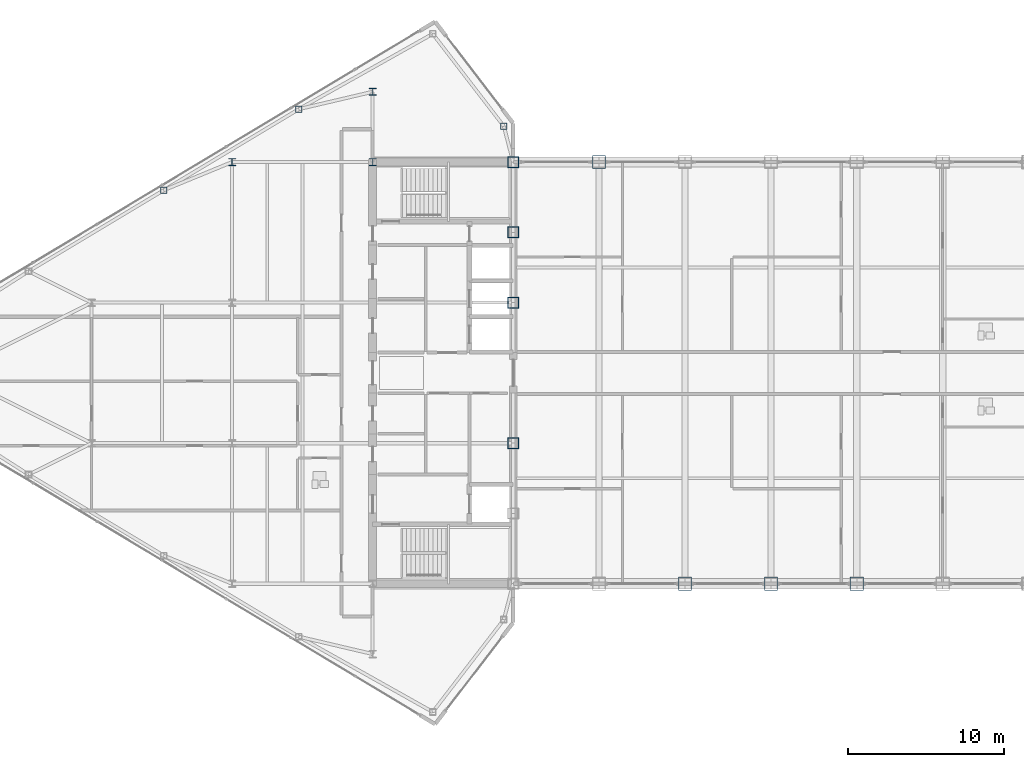
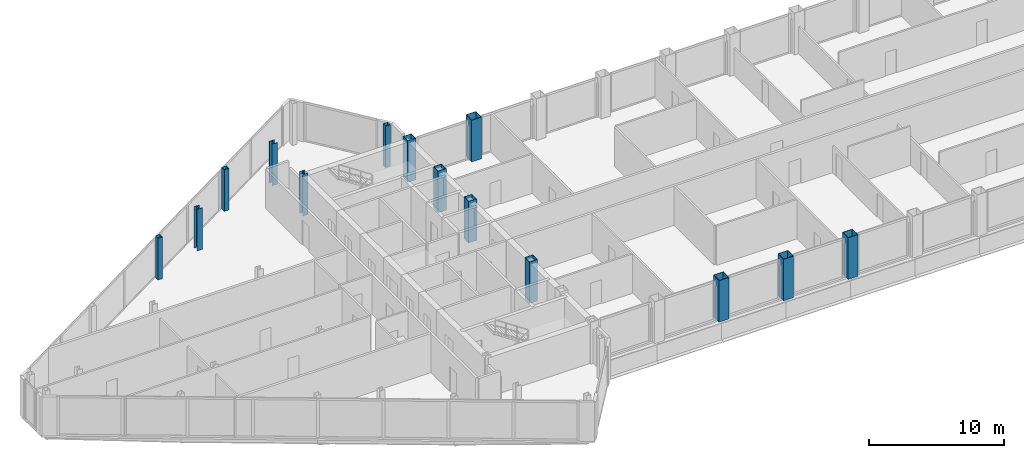
# One storey, part 2 of 29: 14 columns.
"""IFC4 building model written with IfcOpenShell, lengths in metres."""

from ifc_helpers import new_model, si_unit, direction, frame, origin, origin_2d, place, context, subcontext, project, spatial, hollow_rectangle, i_section, extrude, source, transform, mapped, material, material_profile, profile_set, type_object, type_shapes, element, save


model = new_model("IFC4")

# Units and contexts
model_context = context("Model", 3, precision=1e-05, world=origin(), true_north=direction((0.0, 1.0)))
body_context = subcontext(model_context, "Body", "Model", "MODEL_VIEW")
ifc_project = project(units=[si_unit("LENGTHUNIT", "METRE"), si_unit("AREAUNIT", "SQUARE_METRE"), si_unit("VOLUMEUNIT", "CUBIC_METRE"), si_unit("PLANEANGLEUNIT", "RADIAN"), si_unit("MASSUNIT", "GRAM", prefix="KILO")], contexts=[model_context])

# Site, building, storey
site_placement = place(None, origin())
site = spatial("IfcSite", under=ifc_project, at=site_placement, CompositionType="ELEMENT")
building_placement = place(site_placement, origin())
building = spatial("IfcBuilding", under=site, at=building_placement, Name="Seokmaru Belvedere", CompositionType="ELEMENT")
storey_placement = place(building_placement, frame((0.0, 0.0, 239.39990234375)))
storey = spatial("IfcBuildingStorey", under=building, at=storey_placement, Name="L63", CompositionType="ELEMENT", Elevation=239.39990234375)

# Columns
ifc_material_1 = material(Name="Steel SM355 (355 MPa)", Category="steel")
ifc_material_profile_1 = material_profile(ifc_material_1, hollow_rectangle(XDim=0.699951171875, YDim=0.699951171875, WallThickness=0.030029296875, at=origin_2d()), Name="BOX-700x700x30")
ifc_profile_set_1 = profile_set([ifc_material_profile_1], Name="Steel SM355 (355 MPa)")
column_type_1 = type_object("IfcColumnType", Name="Upper Spine Column BOX-700", PredefinedType="COLUMN", material=ifc_profile_set_1)
shared_shape_1 = source(origin(), body_context, "Body", "SweptSolid", [
    extrude(hollow_rectangle(XDim=0.699951171875, YDim=0.699951171875, WallThickness=0.030029296875, at=origin_2d()), origin(), (0.0, 0.0, 1.0), 3.75),
])
type_shapes(column_type_1, [shared_shape_1])
for number, where, z_axis, x_axis, name in (
    (1, (-27.5, -4.5, 0.0), (0.0, 0.0, 1.0), (1.0, 0.0, 0.0), "L63 Column WS3"),
    (2, (-27.5, 4.5, 0.0), (0.0, 0.0, 1.0), (1.0, 0.0, 0.0), "L63 Column WS4"),
    (3, (-27.5, 9.0, 0.0), (0.0, 0.0, 1.0), (1.0, 0.0, 0.0), "L63 Column WS5"),
    (4, (-27.5, 13.5, 0.0), (0.0, 0.0, 1.0), (1.0, 0.0, 0.0), "L63 Column WS6"),
):
    element("IfcColumn", number, at=place(storey_placement, frame(where, z_axis=z_axis, x_axis=x_axis)), inside=storey, type_object=column_type_1, Name=name, PredefinedType="COLUMN", context=body_context, shape_type="MappedRepresentation", body=[
        mapped(shared_shape_1, transform((0.0, 0.0, 0.0), scale=1.0)),
    ])
ifc_material_profile_2 = material_profile(ifc_material_1, i_section(OverallWidth=0.449951171875, OverallDepth=0.449951171875, WebThickness=0.01611328125, FlangeThickness=0.02490234375, at=origin_2d()), Name="H-450x450x16x25")
ifc_profile_set_2 = profile_set([ifc_material_profile_2], Name="Steel SM355 (355 MPa)")
column_type_2 = type_object("IfcColumnType", Name="Sky-Gate Column H-450", PredefinedType="COLUMN", material=ifc_profile_set_2)
shared_shape_2 = source(origin(), body_context, "Body", "SweptSolid", [
    extrude(i_section(OverallWidth=0.449951171875, OverallDepth=0.449951171875, WebThickness=0.01611328125, FlangeThickness=0.02490234375, at=origin_2d()), origin(), (0.0, 0.0, 1.0), 3.75),
])
type_shapes(column_type_2, [shared_shape_2])
for number, where, z_axis, x_axis, name in (
    (5, (-36.5, 13.5, 0.0), (0.0, 0.0, 1.0), (1.0, 0.0, 0.0), "L63 Column WC3"),
    (6, (-36.5, 18.0, 0.0), (0.0, 0.0, 1.0), (1.0, 0.0, 0.0), "L63 Column WC4"),
    (7, (-45.5, 13.5, 0.0), (0.0, 0.0, 1.0), (1.0, 0.0, 0.0), "L63 Column WG5_4"),
):
    element("IfcColumn", number, at=place(storey_placement, frame(where, z_axis=z_axis, x_axis=x_axis)), inside=storey, type_object=column_type_2, Name=name, PredefinedType="COLUMN", context=body_context, shape_type="MappedRepresentation", body=[
        mapped(shared_shape_2, transform((0.0, 0.0, 0.0), scale=1.0)),
    ])
ifc_material_profile_3 = material_profile(ifc_material_1, hollow_rectangle(XDim=0.39990234375, YDim=0.39990234375, WallThickness=0.01611328125, at=origin_2d()), Name="HSS-400x400x16")
ifc_profile_set_3 = profile_set([ifc_material_profile_3], Name="Steel SM355 (355 MPa)")
column_type_3 = type_object("IfcColumnType", Name="Perimeter Facet Column HSS-400", PredefinedType="COLUMN", material=ifc_profile_set_3)
shared_shape_3 = source(origin(), body_context, "Body", "SweptSolid", [
    extrude(hollow_rectangle(XDim=0.39990234375, YDim=0.39990234375, WallThickness=0.01611328125, at=origin_2d()), origin(), (0.0, 0.0, 1.0), 3.75),
])
type_shapes(column_type_3, [shared_shape_3])
for number, where, z_axis, x_axis, name in (
    (8, (-28.10009765625, 15.7958984375, 0.0), (0.0, 0.0, 1.0), (1.0, 0.0, 0.0), "L63 Column WF2"),
    (9, (-41.229736328125, 16.888916015625, 0.0), (0.0, 0.0, 1.0), (1.0, 0.0, 0.0), "L63 Column WFLK_N1"),
    (10, (-49.8798828125, 11.698974609375, 0.0), (0.0, 0.0, 1.0), (1.0, 0.0, 0.0), "L63 Column WFLK_N2"),
):
    element("IfcColumn", number, at=place(storey_placement, frame(where, z_axis=z_axis, x_axis=x_axis)), inside=storey, type_object=column_type_3, Name=name, PredefinedType="COLUMN", context=body_context, shape_type="MappedRepresentation", body=[
        mapped(shared_shape_3, transform((0.0, 0.0, 0.0), scale=1.0)),
    ])
ifc_material_2 = material(Name="Steel HSA650 (650 MPa)", Category="steel")
ifc_material_profile_4 = material_profile(ifc_material_2, hollow_rectangle(XDim=0.85009765625, YDim=0.85009765625, WallThickness=0.035888671875, at=origin_2d()), Name="BOX-850x850x36")
ifc_profile_set_4 = profile_set([ifc_material_profile_4], Name="Steel HSA650 (650 MPa)")
column_type_4 = type_object("IfcColumnType", Name="Portal Spine Column BOX-850", PredefinedType="COLUMN", material=ifc_profile_set_4)
shared_shape_4 = source(origin(), body_context, "Body", "SweptSolid", [
    extrude(hollow_rectangle(XDim=0.85009765625, YDim=0.85009765625, WallThickness=0.035888671875, at=origin_2d()), origin(), (0.0, 0.0, 1.0), 3.75),
])
type_shapes(column_type_4, [shared_shape_4])
for number, where, z_axis, x_axis, name in (
    (11, (-22.0, 13.5, 0.0), (0.0, 0.0, 1.0), (1.0, 0.0, 0.0), "L63 Column BRN_1"),
    (12, (-16.5, -13.5, 0.0), (0.0, 0.0, 1.0), (1.0, 0.0, 0.0), "L63 Column BRS_2"),
    (13, (-11.0, -13.5, 0.0), (0.0, 0.0, 1.0), (1.0, 0.0, 0.0), "L63 Column BRS_3"),
    (14, (-5.5, -13.5, 0.0), (0.0, 0.0, 1.0), (1.0, 0.0, 0.0), "L63 Column BRS_4"),
):
    element("IfcColumn", number, at=place(storey_placement, frame(where, z_axis=z_axis, x_axis=x_axis)), inside=storey, type_object=column_type_4, Name=name, PredefinedType="COLUMN", context=body_context, shape_type="MappedRepresentation", body=[
        mapped(shared_shape_4, transform((0.0, 0.0, 0.0), scale=1.0)),
    ])

save(model, "model.ifc")
